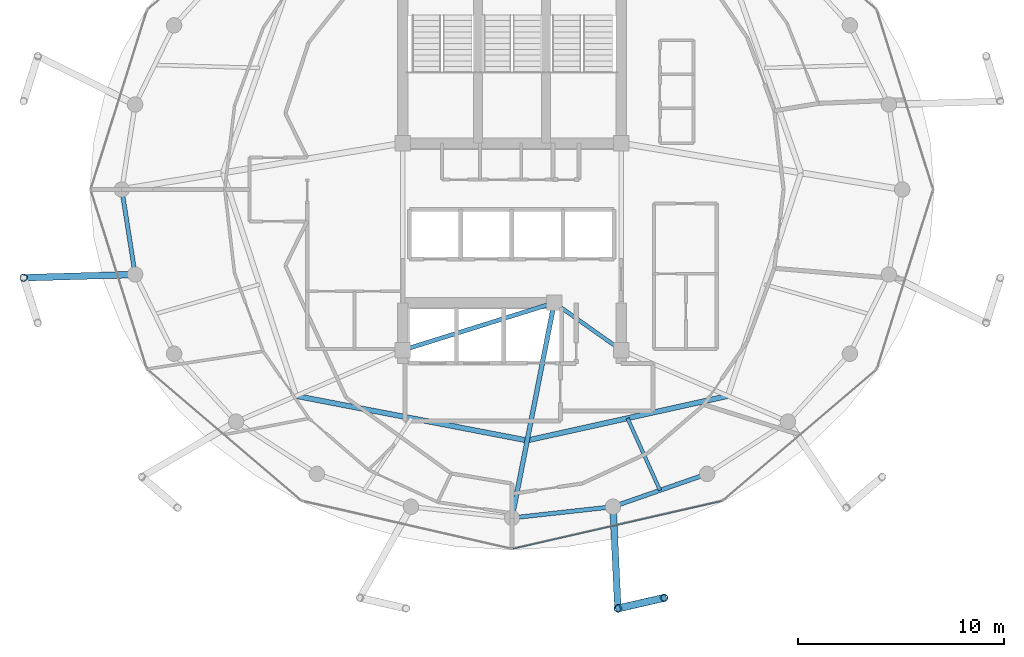
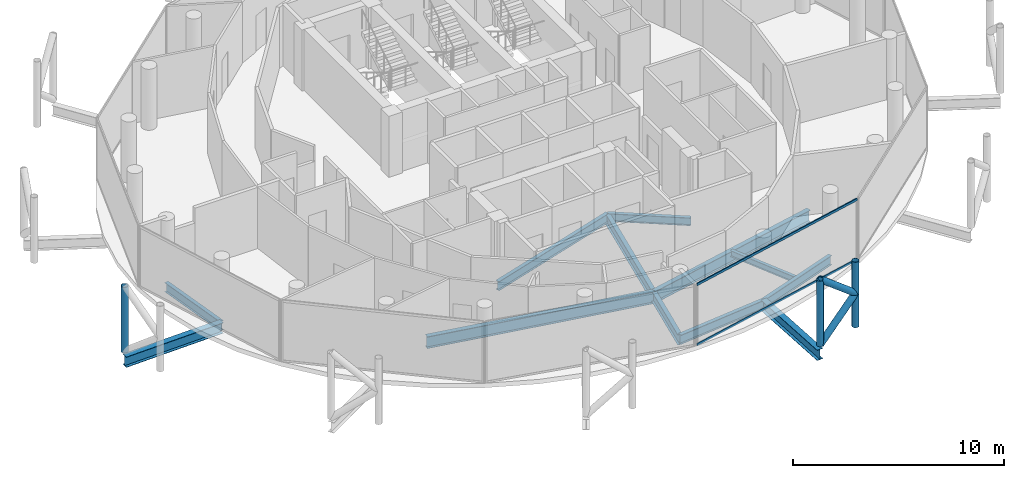
# One storey, part 5 of 24: 11 beams, 7 members, 1 element without a shape of its own.
"""IFC4 building model written with IfcOpenShell, lengths in metres."""

from ifc_helpers import new_model, si_unit, direction, frame, origin, origin_2d, place, context, subcontext, project, spatial, hollow_rectangle, hollow_circle, i_section, extrude, material, layer, layer_set, material_profile, profile_set, type_object, element, aggregate, save


model = new_model("IFC4")

# Units and contexts
model_context = context("Model", 3, precision=1e-05, world=origin(), true_north=direction((0.0, 1.0)))
body_context = subcontext(model_context, "Body", "Model", "MODEL_VIEW")
ifc_project = project(units=[si_unit("LENGTHUNIT", "METRE"), si_unit("AREAUNIT", "SQUARE_METRE"), si_unit("VOLUMEUNIT", "CUBIC_METRE"), si_unit("PLANEANGLEUNIT", "RADIAN"), si_unit("MASSUNIT", "GRAM", prefix="KILO")], contexts=[model_context])

# Site, building, storey
site_placement = place(None, origin())
site = spatial("IfcSite", under=ifc_project, at=site_placement, CompositionType="ELEMENT")
building_placement = place(site_placement, origin())
building = spatial("IfcBuilding", under=site, at=building_placement, Name="Nuhasar Tower", CompositionType="ELEMENT")
storey_placement = place(building_placement, frame((0.0, 0.0, 289.800048828125)))
storey = spatial("IfcBuildingStorey", under=building, at=storey_placement, Name="L72", CompositionType="ELEMENT", Elevation=289.800048828125)

# Beams
ifc_material_1 = material(Name="Steel S355", Category="steel")
ifc_material_profile_1 = material_profile(ifc_material_1, i_section(OverallWidth=0.25390625, OverallDepth=0.68408203125, WebThickness=0.012451171875, FlangeThickness=0.018798828125, at=origin_2d()), Name="W27X94")
ifc_profile_set_1 = profile_set([ifc_material_profile_1], Name="Steel S355")
beam_type_1 = type_object("IfcBeamType", Name="BM-INRING-W27X94", PredefinedType="BEAM", material=ifc_profile_set_1)
beam_1_placement = place(storey_placement, frame((28.51611328125, 16.77392578125, -0.60205078125), z_axis=(0.981944682954, -0.189168283859, 0.0), x_axis=(0.189168283859, 0.981944682954, 0.0)))
element("IfcBeam", 1, at=beam_1_placement, inside=storey, type_object=beam_type_1, Name="L72 Inner Header Beam 01", PredefinedType="BEAM", context=body_context, shape_type="SweptSolid", body=[
    extrude(i_section(OverallWidth=0.25390625, OverallDepth=0.68408203125, WebThickness=0.012451171875, FlangeThickness=0.018798828125, at=origin_2d()), origin(), (0.0, 0.0, 1.0), 11.42822265625),
])
beam_2_placement = place(storey_placement, frame((39.738037109375, 14.612060546875, -0.60205078125), z_axis=(0.97626927806, 0.216560145726, 0.0), x_axis=(-0.216560145726, 0.97626927806, 0.0)))
element("IfcBeam", 2, at=beam_2_placement, inside=storey, type_object=beam_type_1, Name="L72 Inner Header Beam 02", PredefinedType="BEAM", context=body_context, shape_type="SweptSolid", body=[
    extrude(i_section(OverallWidth=0.25390625, OverallDepth=0.68408203125, WebThickness=0.012451171875, FlangeThickness=0.018798828125, at=origin_2d()), origin(), (0.0, 0.0, 1.0), 9.982666015625),
])
ifc_material_profile_2 = material_profile(ifc_material_1, i_section(OverallWidth=0.1708984375, OverallDepth=0.35205078125, WebThickness=0.0068359375, FlangeThickness=0.009765625, at=origin_2d()), Name="W14X30")
ifc_profile_set_2 = profile_set([ifc_material_profile_2], Name="Steel S355")
beam_type_2 = type_object("IfcBeamType", Name="BM-JST-W14X30", PredefinedType="JOIST", material=ifc_profile_set_2)
beam_3_placement = place(storey_placement, frame((44.611083984375, 15.693115234375, -0.43603515625), z_axis=(0.41089033708, -0.911684776057, 0.0), x_axis=(0.911684776057, 0.41089033708, 0.0)))
element("IfcBeam", 3, at=beam_3_placement, inside=storey, type_object=beam_type_2, Name="L72 Secondary Floor Joist 02", PredefinedType="JOIST", context=body_context, shape_type="SweptSolid", body=[
    extrude(i_section(OverallWidth=0.1708984375, OverallDepth=0.35205078125, WebThickness=0.0068359375, FlangeThickness=0.009765625, at=origin_2d()), origin(), (0.0, 0.0, 1.0), 3.842529296875),
])
ifc_material_profile_3 = material_profile(ifc_material_1, i_section(OverallWidth=0.18994140625, OverallDepth=0.45703125, WebThickness=0.009033203125, FlangeThickness=0.014404296875, at=origin_2d()), Name="W18X50")
ifc_profile_set_3 = profile_set([ifc_material_profile_3], Name="Steel S355")
beam_type_3 = type_object("IfcBeamType", Name="BM-RAD-W18X50", PredefinedType="BEAM", material=ifc_profile_set_3)
beam_4_placement = place(storey_placement, frame((41.050048828125, 21.300048828125, -0.488037109375), z_axis=(0.816265428953, -0.577677028708, 0.0), x_axis=(0.577677028708, 0.816265428953, 0.0)))
element("IfcBeam", 4, at=beam_4_placement, inside=storey, type_object=beam_type_3, Name="L72 Core Ring Girder 2", PredefinedType="BEAM", context=body_context, shape_type="SweptSolid", body=[
    extrude(i_section(OverallWidth=0.18994140625, OverallDepth=0.45703125, WebThickness=0.009033203125, FlangeThickness=0.014404296875, at=origin_2d()), origin(), (0.0, 0.0, 1.0), 3.9814453125),
])
ifc_material_profile_4 = material_profile(ifc_material_1, i_section(OverallWidth=0.208984375, OverallDepth=0.528076171875, WebThickness=0.009521484375, FlangeThickness=0.01318359375, at=origin_2d()), Name="W21X55")
ifc_profile_set_4 = profile_set([ifc_material_profile_4], Name="Steel S355")
beam_type_4 = type_object("IfcBeamType", Name="BM-RAD-W21X55", PredefinedType="BEAM", material=ifc_profile_set_4)
beam_5_placement = place(storey_placement, frame((33.699951171875, 19.0, -0.524169921875), z_axis=(0.954363709454, 0.298646798205, 0.0), x_axis=(-0.298646798205, 0.954363709454, 0.0)))
element("IfcBeam", 5, at=beam_5_placement, inside=storey, type_object=beam_type_4, Name="L72 Core Ring Girder 1", PredefinedType="BEAM", context=body_context, shape_type="SweptSolid", body=[
    extrude(i_section(OverallWidth=0.208984375, OverallDepth=0.528076171875, WebThickness=0.009521484375, FlangeThickness=0.01318359375, at=origin_2d()), origin(), (0.0, 0.0, 1.0), 7.70166015625),
])
ifc_material_profile_5 = material_profile(ifc_material_1, i_section(OverallWidth=0.22900390625, OverallDepth=0.612060546875, WebThickness=0.011962890625, FlangeThickness=0.01953125, at=origin_2d()), Name="W24X84")
ifc_profile_set_5 = profile_set([ifc_material_profile_5], Name="Steel S355")
beam_type_5 = type_object("IfcBeamType", Name="BM-RAD-W24X84", PredefinedType="BEAM", material=ifc_profile_set_5)
beam_6_placement = place(storey_placement, frame((41.050048828125, 21.300048828125, -0.566162109375), z_axis=(-0.192508395576, -0.981295326409, 0.0), x_axis=(0.981295326409, -0.192508395576, 0.0)))
element("IfcBeam", 6, at=beam_6_placement, inside=storey, type_object=beam_type_5, Name="L72 Radial Floor Girder 02", PredefinedType="BEAM", context=body_context, shape_type="SweptSolid", body=[
    extrude(i_section(OverallWidth=0.22900390625, OverallDepth=0.612060546875, WebThickness=0.011962890625, FlangeThickness=0.01953125, at=origin_2d()), origin(), (0.0, 0.0, 1.0), 10.649169921875),
])
ifc_material_profile_6 = material_profile(ifc_material_1, i_section(OverallWidth=0.2099609375, OverallDepth=0.537109375, WebThickness=0.010986328125, FlangeThickness=0.017333984375, at=origin_2d()), Name="W21X68")
ifc_profile_set_6 = profile_set([ifc_material_profile_6], Name="Steel S355")
beam_type_6 = type_object("IfcBeamType", Name="BM-RING-W21X68", PredefinedType="SPANDREL", material=ifc_profile_set_6)
beam_7_placement = place(storey_placement, frame((20.050048828125, 26.800048828125, -0.528076171875), z_axis=(0.154612165232, -0.987975241776, 0.0), x_axis=(0.987975241776, 0.154612165232, 0.0)))
element("IfcBeam", 7, at=beam_7_placement, inside=storey, type_object=beam_type_6, Name="L72 Perimeter Ring Spandrel 13", PredefinedType="SPANDREL", context=body_context, shape_type="SweptSolid", body=[
    extrude(i_section(OverallWidth=0.2099609375, OverallDepth=0.537109375, WebThickness=0.010986328125, FlangeThickness=0.017333984375, at=origin_2d()), origin(), (0.0, 0.0, 1.0), 4.17822265625),
])
beam_8_placement = place(storey_placement, frame((39.0, 10.85009765625, -0.528076171875), z_axis=(0.99392889943, 0.110024283128, 0.0), x_axis=(-0.110024283128, 0.99392889943, 0.0)))
element("IfcBeam", 8, at=beam_8_placement, inside=storey, type_object=beam_type_6, Name="L72 Perimeter Ring Spandrel 19", PredefinedType="SPANDREL", context=body_context, shape_type="SweptSolid", body=[
    extrude(i_section(OverallWidth=0.2099609375, OverallDepth=0.537109375, WebThickness=0.010986328125, FlangeThickness=0.017333984375, at=origin_2d()), origin(), (0.0, 0.0, 1.0), 4.93505859375),
])
beam_9_placement = place(storey_placement, frame((43.905029296875, 11.39306640625, -0.528076171875), z_axis=(0.944214043504, 0.329332415729, 0.0), x_axis=(-0.329332415729, 0.944214043504, 0.0)))
element("IfcBeam", 9, at=beam_9_placement, inside=storey, type_object=beam_type_6, Name="L72 Perimeter Ring Spandrel 20", PredefinedType="SPANDREL", context=body_context, shape_type="SweptSolid", body=[
    extrude(i_section(OverallWidth=0.2099609375, OverallDepth=0.537109375, WebThickness=0.010986328125, FlangeThickness=0.017333984375, at=origin_2d()), origin(), (0.0, 0.0, 1.0), 4.840087890625),
])
ifc_material_profile_7 = material_profile(ifc_material_1, i_section(OverallWidth=0.323974609375, OverallDepth=0.611083984375, WebThickness=0.0126953125, FlangeThickness=0.01904296875, at=origin_2d()), Name="W24X104")
ifc_profile_set_7 = profile_set([ifc_material_profile_7], Name="Steel S355")
beam_type_7 = type_object("IfcBeamType", Name="BM-TIE-W24X104", PredefinedType="BEAM", material=ifc_profile_set_7)
beam_10_placement = place(storey_placement, frame((20.696044921875, 22.672119140625, -0.56494140625), z_axis=(-0.999573346236, -0.029208312065, 0.0), x_axis=(0.029208312065, -0.999573346236, 0.0)))
element("IfcBeam", 10, at=beam_10_placement, inside=storey, type_object=beam_type_7, Name="L72 Exoskeleton Node Tie Beam 07", PredefinedType="BEAM", context=body_context, shape_type="SweptSolid", body=[
    extrude(i_section(OverallWidth=0.323974609375, OverallDepth=0.611083984375, WebThickness=0.0126953125, FlangeThickness=0.01904296875, at=origin_2d()), origin(), (0.0, 0.0, 1.0), 5.416259765625),
])
beam_11_placement = place(storey_placement, frame((43.905029296875, 11.39306640625, -0.56494140625), z_axis=(0.048109027225, -0.998842090372, 0.0), x_axis=(0.998842090372, 0.048109027225, 0.0)))
element("IfcBeam", 11, at=beam_11_placement, inside=storey, type_object=beam_type_7, Name="L72 Exoskeleton Node Tie Beam 10", PredefinedType="BEAM", context=body_context, shape_type="SweptSolid", body=[
    extrude(i_section(OverallWidth=0.323974609375, OverallDepth=0.611083984375, WebThickness=0.0126953125, FlangeThickness=0.01904296875, at=origin_2d()), origin(), (0.0, 0.0, 1.0), 4.94775390625),
])

# Curtain wall, members
ifc_material_2 = material(Name="Aluminium 6063-T6", Category="aluminium")
ifc_layer = layer(ifc_material_2, 0.18994140625)
ifc_layer_set = layer_set([ifc_layer], Name="Aluminium 6063-T6")
curtain_wall_type = type_object("IfcCurtainWallType", Name="CW-Z4-PEN", PredefinedType="NOTDEFINED", material=ifc_layer_set)
curtain_wall_placement = place(storey_placement, origin())
curtain_wall = element("IfcCurtainWall", 12, at=curtain_wall_placement, inside=storey, type_object=curtain_wall_type, Name="L72 Unitised Curtain Wall 10", PredefinedType="NOTDEFINED")
ifc_material_profile_8 = material_profile(ifc_material_2, hollow_rectangle(XDim=0.06005859375, YDim=0.135009765625, WallThickness=0.00439453125, at=origin_2d()), Name="CWT-5")
ifc_profile_set_8 = profile_set([ifc_material_profile_8], Name="Aluminium 6063-T6")
member_type_1 = type_object("IfcMemberType", Name="CW-TRN-S5", PredefinedType="USERDEFINED", material=ifc_profile_set_8)
member_1_placement = place(storey_placement, frame((39.05859375, 9.353271484375, 0.030029296875), z_axis=(0.974843752401, 0.222889341163, 0.0), x_axis=(-0.222889341163, 0.974843752401, 0.0)))
member_1 = element("IfcMember", 13, at=member_1_placement, type_object=member_type_1, Name="CW-Z4 transom 1.1", ObjectType="TRANSOM", PredefinedType="USERDEFINED", context=body_context, shape_type="SweptSolid", body=[
    extrude(hollow_rectangle(XDim=0.06005859375, YDim=0.135009765625, WallThickness=0.00439453125, at=origin_2d()), origin(), (0.0, 0.0, 1.0), 10.3740234375),
])
member_2_placement = place(storey_placement, frame((39.05859375, 9.353271484375, 3.510009765625), z_axis=(0.974843752401, 0.222889341163, 0.0), x_axis=(-0.222889341163, 0.974843752401, 0.0)))
member_2 = element("IfcMember", 14, at=member_2_placement, type_object=member_type_1, Name="CW-Z4 transom 1.2", ObjectType="TRANSOM", PredefinedType="USERDEFINED", context=body_context, shape_type="SweptSolid", body=[
    extrude(hollow_rectangle(XDim=0.06005859375, YDim=0.135009765625, WallThickness=0.00439453125, at=origin_2d()), origin(), (0.0, 0.0, 1.0), 10.3740234375),
])
aggregate(curtain_wall, [member_1, member_2])

# Members
ifc_material_3 = material(Name="Steel S460", Category="steel")
ifc_material_profile_9 = material_profile(ifc_material_3, hollow_circle(Radius=0.177734375, WallThickness=0.015869140625, at=origin_2d()), Name="HSS355.6X15.9")
ifc_profile_set_9 = profile_set([ifc_material_profile_9], Name="Steel S460")
member_type_2 = type_object("IfcMemberType", Name="EXO-BRONZE-356", PredefinedType="BRACE", material=ifc_profile_set_9)
for number, where, z_axis, x_axis, name in (
    (15, (15.281982421875, 22.513916015625, 0.0), (0.0, 0.0, 1.0), (1.0, 0.0, 0.0), "L72 Exoskeleton Chord Column EC-07A"),
    (16, (44.14306640625, 6.450927734375, 0.0), (0.0, 0.0, 1.0), (1.0, 0.0, 0.0), "L72 Exoskeleton Chord Column EC-10A"),
    (17, (46.384033203125, 6.967041015625, 0.0), (0.0, 0.0, 1.0), (1.0, 0.0, 0.0), "L72 Exoskeleton Chord Column EC-10B"),
):
    element("IfcMember", number, at=place(storey_placement, frame(where, z_axis=z_axis, x_axis=x_axis)), inside=storey, type_object=member_type_2, Name=name, PredefinedType="BRACE", context=body_context, shape_type="SweptSolid", body=[
        extrude(hollow_circle(Radius=0.177734375, WallThickness=0.015869140625, at=origin_2d()), origin(), (0.0, 0.0, 1.0), 3.800048828125),
    ])
member_3_placement = place(storey_placement, frame((44.14306640625, 6.450927734375, 0.0), z_axis=(0.751260978137, 0.173021648086, 0.636922642103), x_axis=(-0.224433035437, 0.97448951385, 0.0)))
element("IfcMember", 18, at=member_3_placement, inside=storey, type_object=member_type_2, Name="L72 Bronze Diagrid Brace W1-10", PredefinedType="BRACE", context=body_context, shape_type="SweptSolid", body=[
    extrude(hollow_circle(Radius=0.177734375, WallThickness=0.015869140625, at=origin_2d()), origin(), (0.0, 0.0, 1.0), 2.98291015625),
])
member_4_placement = place(storey_placement, frame((46.384033203125, 6.967041015625, 1.89990234375), z_axis=(-0.751221815951, -0.173012628709, 0.636971281571), x_axis=(0.224433035437, -0.97448951385, 0.0)))
element("IfcMember", 19, at=member_4_placement, inside=storey, type_object=member_type_2, Name="L72 Bronze Diagrid Brace W2-10", PredefinedType="BRACE", context=body_context, shape_type="SweptSolid", body=[
    extrude(hollow_circle(Radius=0.177734375, WallThickness=0.015869140625, at=origin_2d()), origin(), (0.0, 0.0, 1.0), 2.983154296875),
])

save(model, "model.ifc")
